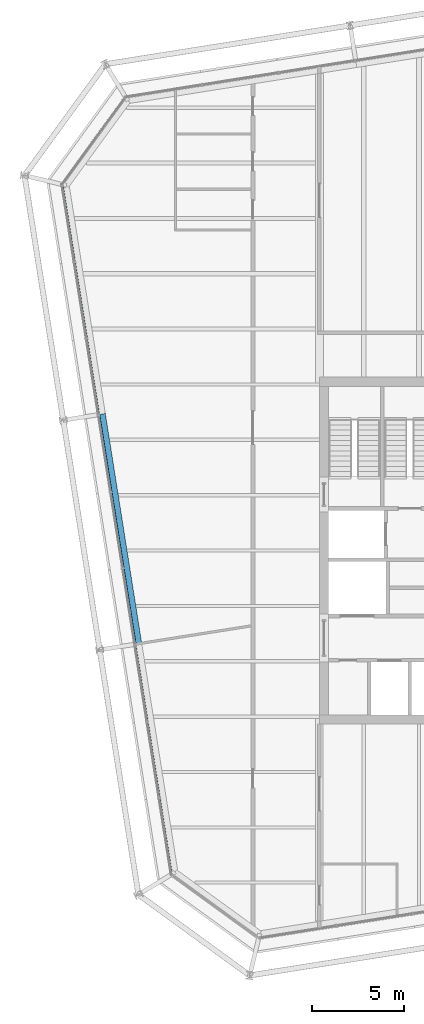
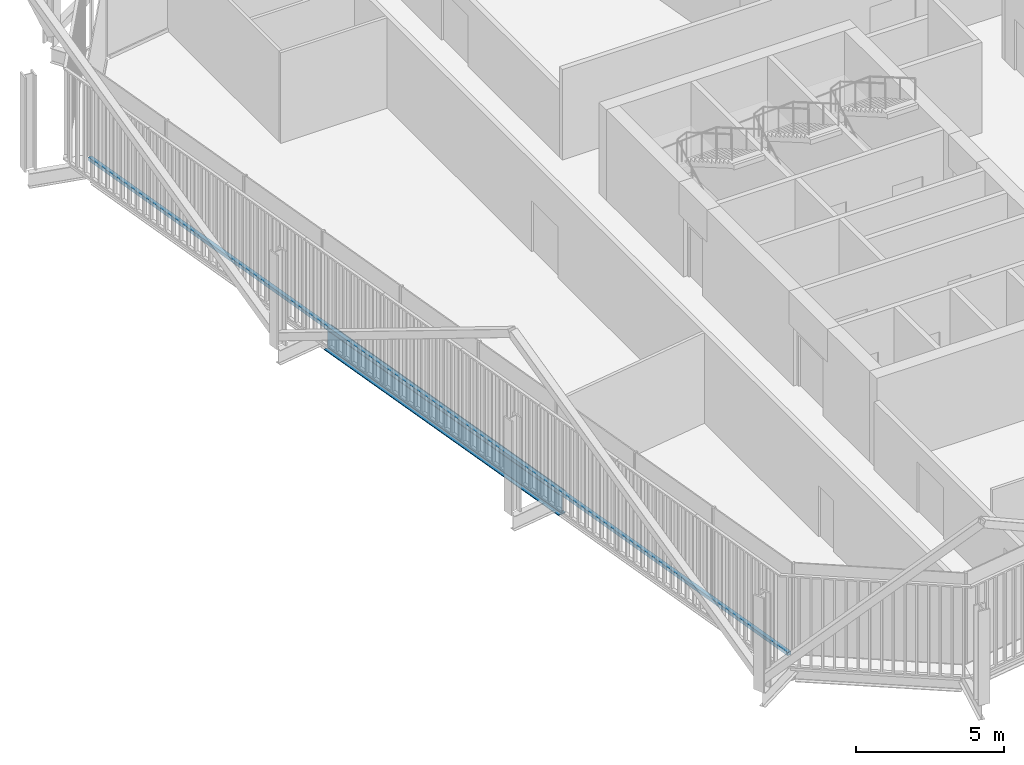
# One storey, part 6 of 21: 1 beam, 1 member, 1 element without a shape of its own.
"""IFC4 building model written with IfcOpenShell, lengths in metres."""

from ifc_helpers import new_model, si_unit, direction, frame, origin, origin_2d, place, context, subcontext, project, spatial, rectangle, i_section, extrude, material, layer, layer_set, material_profile, profile_set, type_object, element, aggregate, save


model = new_model("IFC4")

# Units and contexts
model_context = context("Model", 3, precision=1e-05, world=origin(), true_north=direction((0.0, 1.0)))
body_context = subcontext(model_context, "Body", "Model", "MODEL_VIEW")
ifc_project = project(units=[si_unit("LENGTHUNIT", "METRE"), si_unit("AREAUNIT", "SQUARE_METRE"), si_unit("VOLUMEUNIT", "CUBIC_METRE"), si_unit("PLANEANGLEUNIT", "RADIAN"), si_unit("MASSUNIT", "GRAM", prefix="KILO")], contexts=[model_context])

# Site, building, storey
site_placement = place(None, origin())
site = spatial("IfcSite", under=ifc_project, at=site_placement, CompositionType="ELEMENT")
building_placement = place(site_placement, origin())
building = spatial("IfcBuilding", under=site, at=building_placement, Name="Millrace Tower", CompositionType="ELEMENT")
storey_placement = place(building_placement, frame((0.0, 0.0, 255.199951171875)))
storey = spatial("IfcBuildingStorey", under=building, at=storey_placement, Name="L58", CompositionType="ELEMENT", Elevation=255.199951171875)

# Curtain wall, member
ifc_material_1 = material(Name="Aluminium and glass", Category="aluminium")
ifc_layer = layer(ifc_material_1, 0.14990234375)
ifc_layer_set = layer_set([ifc_layer], Name="Aluminium and glass")
curtain_wall_type = type_object("IfcCurtainWallType", Name="CW-1 office vision curtain wall", PredefinedType="NOTDEFINED", material=ifc_layer_set)
curtain_wall_placement = place(storey_placement, origin())
curtain_wall = element("IfcCurtainWall", 1, at=curtain_wall_placement, inside=storey, type_object=curtain_wall_type, Name="Curtain wall D-F08 L58", PredefinedType="NOTDEFINED")
ifc_material_2 = material(Name="Aluminium", Category="aluminium")
ifc_material_profile_1 = material_profile(ifc_material_2, rectangle(XDim=0.14990234375, YDim=0.139892578125, at=origin_2d()))
ifc_profile_set_1 = profile_set([ifc_material_profile_1], Name="Aluminium")
member_type = type_object("IfcMemberType", Name="CW-1 office vision curtain wall transom", PredefinedType="USERDEFINED", material=ifc_profile_set_1)
member_placement = place(storey_placement, frame((-28.331787109375, 19.708740234375, 0.070068359375), z_axis=(0.156432359726, -0.987688674042, 0.0), x_axis=(0.987688674042, 0.156432359726, 0.0)))
member = element("IfcMember", 2, at=member_placement, type_object=member_type, Name="CW1 transom D-F08.1", ObjectType="TRANSOM", PredefinedType="USERDEFINED", context=body_context, shape_type="SweptSolid", body=[
    extrude(rectangle(XDim=0.14990234375, YDim=0.139892578125, at=origin_2d()), origin(), (0.0, 0.0, 1.0), 37.599853515625),
])
aggregate(curtain_wall, [member])

# Beam
ifc_material_3 = material(Name="Steel ASTM A992 Grade 50", Category="steel")
ifc_material_profile_2 = material_profile(ifc_material_3, i_section(OverallWidth=0.307373046875, OverallDepth=0.927001953125, WebThickness=0.01953125, FlangeThickness=0.031982421875, FilletRadius=0.01904296875, at=origin_2d()))
ifc_profile_set_2 = profile_set([ifc_material_profile_2], Name="Steel ASTM A992 Grade 50")
beam_type = type_object("IfcBeamType", Name="Ring beam medium span W36x194", PredefinedType="SPANDREL", material=ifc_profile_set_2)
beam_placement = place(storey_placement, frame((-24.179443359375, -5.04638671875, -0.62353515625), z_axis=(-0.1564441342, 0.987686809102, 0.0), x_axis=(-0.987686809102, -0.1564441342, 0.0)))
element("IfcBeam", 3, at=beam_placement, inside=storey, type_object=beam_type, Name="RNG-D-L58-S1-02", PredefinedType="SPANDREL", context=body_context, shape_type="SweptSolid", body=[
    extrude(i_section(OverallWidth=0.307373046875, OverallDepth=0.927001953125, WebThickness=0.01953125, FlangeThickness=0.031982421875, FilletRadius=0.01904296875, at=origin_2d()), origin(), (0.0, 0.0, 1.0), 12.599853515625),
])

save(model, "model.ifc")
